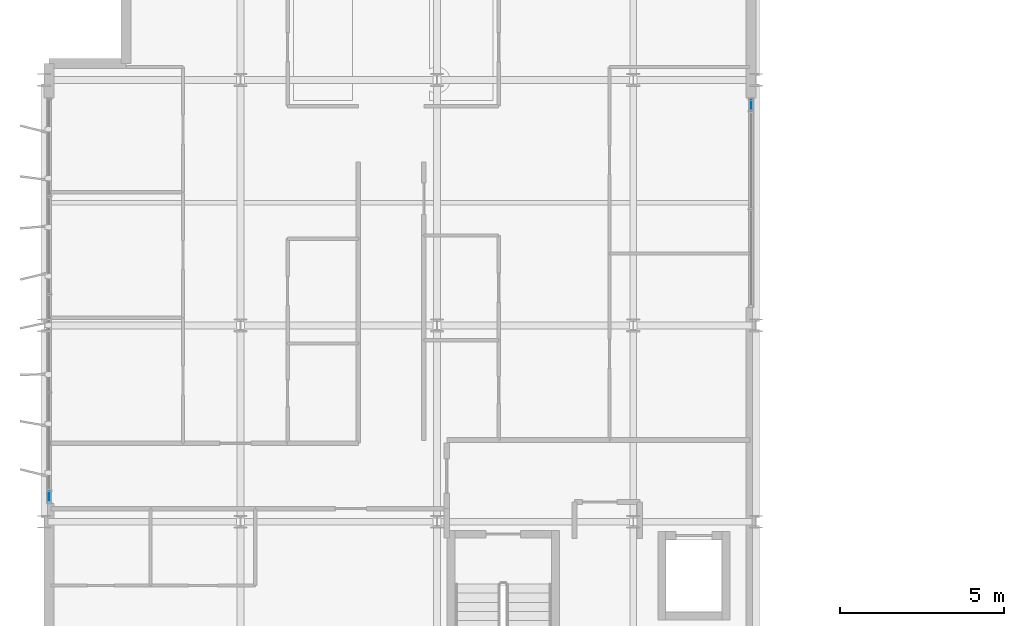
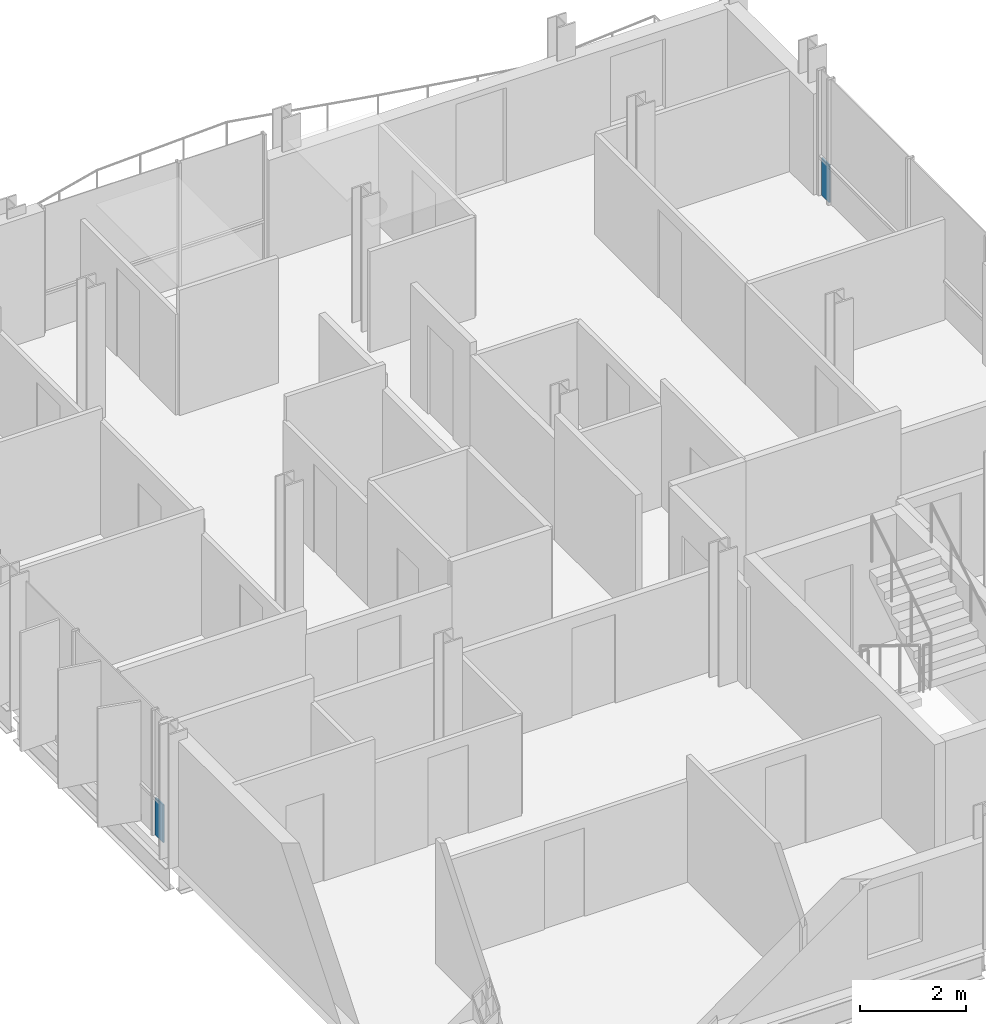
# One storey, part 19 of 28: 2 plates, 2 elements without a shape of their own.
"""IFC4 building model written with IfcOpenShell, lengths in metres."""

from ifc_helpers import new_model, si_unit, direction, frame, origin, origin_2d, place, context, subcontext, project, spatial, rectangle, extrude, material, layer, layer_set, type_object, element, aggregate, save


model = new_model("IFC4")

# Units and contexts
model_context = context("Model", 3, precision=1e-05, world=origin(), true_north=direction((0.0, 1.0)))
body_context = subcontext(model_context, "Body", "Model", "MODEL_VIEW")
ifc_project = project(units=[si_unit("LENGTHUNIT", "METRE"), si_unit("AREAUNIT", "SQUARE_METRE"), si_unit("VOLUMEUNIT", "CUBIC_METRE"), si_unit("PLANEANGLEUNIT", "RADIAN"), si_unit("MASSUNIT", "GRAM", prefix="KILO")], contexts=[model_context])

# Site, building, storey
site_placement = place(None, origin())
site = spatial("IfcSite", under=ifc_project, at=site_placement, CompositionType="ELEMENT")
building_placement = place(site_placement, origin())
building = spatial("IfcBuilding", under=site, at=building_placement, Name="Brevholm Reach", CompositionType="ELEMENT")
storey_placement = place(building_placement, frame((0.0, 0.0, 192.5)))
storey = spatial("IfcBuildingStorey", under=building, at=storey_placement, Name="L58", CompositionType="ELEMENT", Elevation=192.5)

# Curtain wall, plate
ifc_material_1 = material(Name="Dark Anodised Aluminium 6063-T6 and Solar-Control Glass", Category="aluminium")
ifc_layer_1 = layer(ifc_material_1, 0.14990234375)
ifc_layer_set_1 = layer_set([ifc_layer_1], Name="Dark Anodised Aluminium 6063-T6 and Solar-Control Glass")
curtain_wall_type_1 = type_object("IfcCurtainWallType", Name="CW-01", PredefinedType="NOTDEFINED", material=ifc_layer_set_1)
curtain_wall_1_placement = place(storey_placement, origin())
curtain_wall_1 = element("IfcCurtainWall", 1, at=curtain_wall_1_placement, inside=storey, type_object=curtain_wall_type_1, Name="L58 Curtain Wall CW-01", PredefinedType="NOTDEFINED")
ifc_material_2 = material(Name="Dark Solar-Control Double-Glazed IGU Glass", Category="glass")
ifc_layer_2 = layer(ifc_material_2, 0.028076171875)
ifc_layer_set_2 = layer_set([ifc_layer_2], Name="Dark Solar-Control Double-Glazed IGU Glass")
plate_type = type_object("IfcPlateType", Name="CWP-GLZ-28", PredefinedType="CURTAIN_PANEL", material=ifc_layer_set_2)
plate_1_placement = place(storey_placement, frame((0.14990234375, 10.766357421875, 0.0), z_axis=(0.0, 0.0, 1.0), x_axis=(0.0, -1.0, 0.0)))
plate_1 = element("IfcPlate", 2, at=plate_1_placement, type_object=plate_type, Name="CP-01 Glazing Panel 5.1", PredefinedType="CURTAIN_PANEL", context=body_context, shape_type="SweptSolid", body=[
    extrude(rectangle(XDim=0.302490234375, YDim=0.028076171875, at=origin_2d()), origin(), (0.0, 0.0, 1.0), 0.867431640625),
])
aggregate(curtain_wall_1, [plate_1])

ifc_material_3 = material(Name="Dark Anodised Aluminium 6063-T6 and Solar-Control Glass", Category="aluminium")
ifc_layer_3 = layer(ifc_material_3, 0.1650390625)
ifc_layer_set_3 = layer_set([ifc_layer_3], Name="Dark Anodised Aluminium 6063-T6 and Solar-Control Glass")
curtain_wall_type_2 = type_object("IfcCurtainWallType", Name="CW-04", PredefinedType="NOTDEFINED", material=ifc_layer_set_3)
curtain_wall_2_placement = place(storey_placement, origin())
curtain_wall_2 = element("IfcCurtainWall", 3, at=curtain_wall_2_placement, inside=storey, type_object=curtain_wall_type_2, Name="L58 Curtain Wall CW-04", PredefinedType="NOTDEFINED")
plate_2_placement = place(storey_placement, frame((21.60009765625, 22.732421875, 0.0), z_axis=(0.0, 0.0, 1.0), x_axis=(0.0, 1.0, 0.0)))
plate_2 = element("IfcPlate", 4, at=plate_2_placement, type_object=plate_type, Name="CP-01 Glazing Panel 3.1", PredefinedType="CURTAIN_PANEL", context=body_context, shape_type="SweptSolid", body=[
    extrude(rectangle(XDim=0.294921875, YDim=0.028076171875, at=origin_2d()), origin(), (0.0, 0.0, 1.0), 0.864990234375),
])
aggregate(curtain_wall_2, [plate_2])

save(model, "model.ifc")
